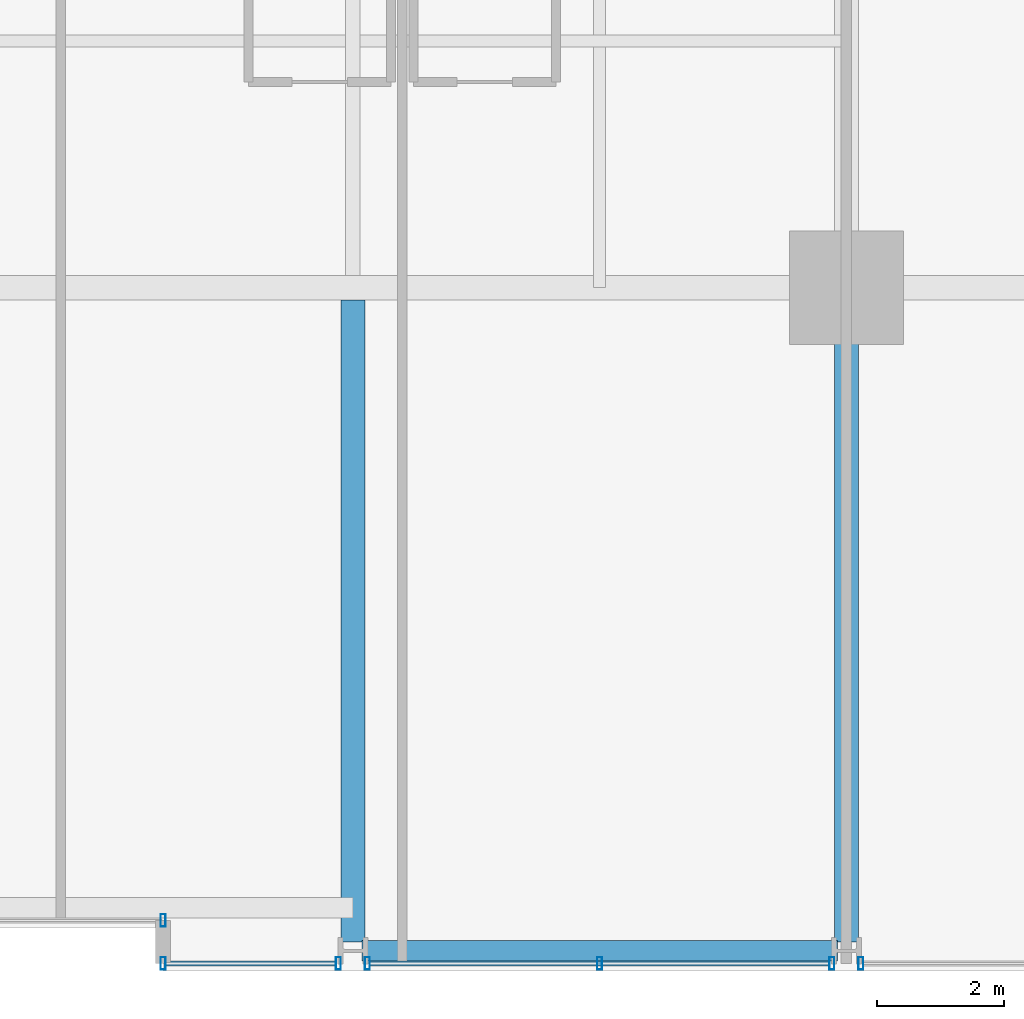
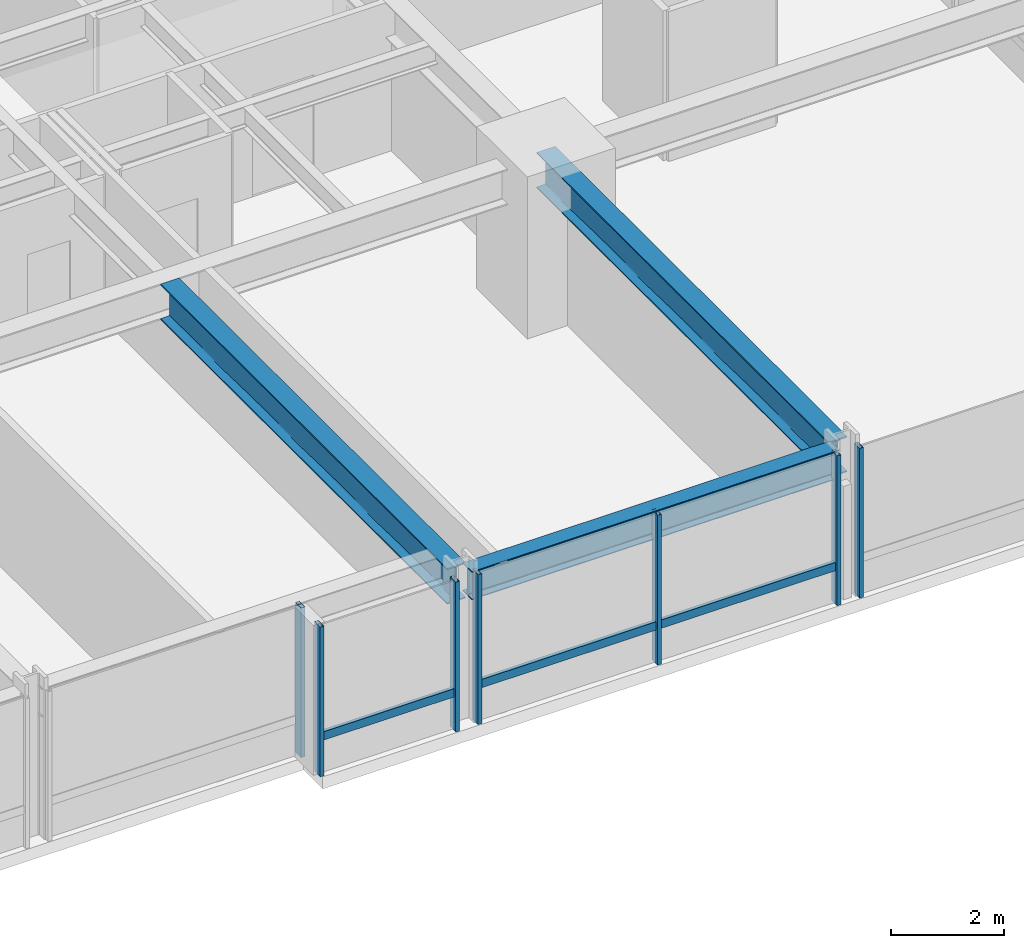
# One storey, part 11 of 38: 9 members, 3 beams, 4 elements without a shape of their own.
"""IFC4 building model written with IfcOpenShell, lengths in metres."""

from ifc_helpers import new_model, si_unit, direction, frame, origin, origin_2d, place, context, subcontext, project, spatial, hollow_rectangle, i_section, extrude, material, layer, layer_set, material_profile, profile_set, type_object, element, aggregate, save


model = new_model("IFC4")

# Units and contexts
model_context = context("Model", 3, precision=1e-05, world=origin(), true_north=direction((0.0, 1.0)))
body_context = subcontext(model_context, "Body", "Model", "MODEL_VIEW")
ifc_project = project(units=[si_unit("LENGTHUNIT", "METRE"), si_unit("AREAUNIT", "SQUARE_METRE"), si_unit("VOLUMEUNIT", "CUBIC_METRE"), si_unit("PLANEANGLEUNIT", "RADIAN"), si_unit("MASSUNIT", "GRAM", prefix="KILO")], contexts=[model_context])

# Site, building, storey
site_placement = place(None, origin())
site = spatial("IfcSite", under=ifc_project, at=site_placement, CompositionType="ELEMENT")
building_placement = place(site_placement, origin())
building = spatial("IfcBuilding", under=site, at=building_placement, Name="Drelvath Grand Hotel", CompositionType="ELEMENT")
storey_placement = place(building_placement, frame((0.0, 0.0, 61.199951171875)))
storey = spatial("IfcBuildingStorey", under=building, at=storey_placement, Name="L14", CompositionType="ELEMENT", Elevation=61.199951171875)

# Curtain wall, member
ifc_material_1 = material(Name="Warm Bronze Anodised Aluminium Frame", Category="aluminium")
ifc_layer = layer(ifc_material_1, 0.199951171875)
ifc_layer_set = layer_set([ifc_layer], Name="Warm Bronze Anodised Aluminium Frame")
curtain_wall_type = type_object("IfcCurtainWallType", Name="Stick Curtain Wall CW-02 Warm Bronze Low-Rise", PredefinedType="NOTDEFINED", material=ifc_layer_set)
curtain_wall_1_placement = place(storey_placement, origin())
curtain_wall_1 = element("IfcCurtainWall", 1, at=curtain_wall_1_placement, inside=storey, type_object=curtain_wall_type, Name="L14 CW-02 Curtain Wall CW02-L14-SE1", PredefinedType="NOTDEFINED")
ifc_material_profile_1 = material_profile(ifc_material_1, hollow_rectangle(XDim=0.074951171875, YDim=0.179931640625, WallThickness=0.0048828125, at=origin_2d()), Name="HSS180X75X5")
ifc_profile_set_1 = profile_set([ifc_material_profile_1], Name="Warm Bronze Anodised Aluminium Frame")
member_type_1 = type_object("IfcMemberType", Name="Curtain Wall Horizontal Transom CW-02 HSS180X75X5", PredefinedType="USERDEFINED", material=ifc_profile_set_1)
member_1_placement = place(storey_placement, frame((8.130859375, 0.1201171875, 0.81005859375), z_axis=(-1.0, 0.0, 0.0), x_axis=(0.0, -1.0, 0.0)))
member_1 = element("IfcMember", 2, at=member_1_placement, type_object=member_type_1, Name="CW02-L14-SE1 Sill Transom", ObjectType="TRANSOM", PredefinedType="USERDEFINED", context=body_context, shape_type="SweptSolid", body=[
    extrude(hollow_rectangle(XDim=0.074951171875, YDim=0.179931640625, WallThickness=0.0048828125, at=origin_2d()), origin(), (0.0, 0.0, 1.0), 2.69091796875),
])

curtain_wall_2_placement = place(storey_placement, origin())
curtain_wall_2 = element("IfcCurtainWall", 3, at=curtain_wall_2_placement, inside=storey, type_object=curtain_wall_type, Name="L14 CW-02 Curtain Wall CW02-L14-SE2", PredefinedType="NOTDEFINED")
member_2_placement = place(storey_placement, frame((15.930908203125, 0.1201171875, 0.81005859375), z_axis=(-1.0, 0.0, 0.0), x_axis=(0.0, -1.0, 0.0)))
member_2 = element("IfcMember", 4, at=member_2_placement, type_object=member_type_1, Name="CW02-L14-SE2 Sill Transom", ObjectType="TRANSOM", PredefinedType="USERDEFINED", context=body_context, shape_type="SweptSolid", body=[
    extrude(hollow_rectangle(XDim=0.074951171875, YDim=0.179931640625, WallThickness=0.0048828125, at=origin_2d()), origin(), (0.0, 0.0, 1.0), 7.26171875),
])

# Member
ifc_material_profile_2 = material_profile(ifc_material_1, hollow_rectangle(XDim=0.080078125, YDim=0.199951171875, WallThickness=0.0048828125, at=origin_2d()), Name="HSS200X80X5")
ifc_profile_set_2 = profile_set([ifc_material_profile_2], Name="Warm Bronze Anodised Aluminium Frame")
member_type_2 = type_object("IfcMemberType", Name="Curtain Wall Vertical Mullion CW-02 HSS200X80X5", PredefinedType="MULLION", material=ifc_profile_set_2)
member_3_placement = place(storey_placement, frame((8.1708984375, 0.1201171875, 0.0), z_axis=(0.0, 0.0, 1.0), x_axis=(1.0, 0.0, 0.0)))
member_3 = element("IfcMember", 5, at=member_3_placement, type_object=member_type_2, Name="CW02-L14-SE1 Mullion 1", PredefinedType="MULLION", context=body_context, shape_type="SweptSolid", body=[
    extrude(hollow_rectangle(XDim=0.080078125, YDim=0.199951171875, WallThickness=0.0048828125, at=origin_2d()), origin(), (0.0, 0.0, 1.0), 3.239990234375),
])

member_4_placement = place(storey_placement, frame((5.39990234375, 0.1201171875, 0.0), z_axis=(0.0, 0.0, 1.0), x_axis=(1.0, 0.0, 0.0)))
member_4 = element("IfcMember", 6, at=member_4_placement, type_object=member_type_2, Name="CW02-L14-SE1 Mullion 2", PredefinedType="MULLION", context=body_context, shape_type="SweptSolid", body=[
    extrude(hollow_rectangle(XDim=0.080078125, YDim=0.199951171875, WallThickness=0.0048828125, at=origin_2d()), origin(), (0.0, 0.0, 1.0), 3.239990234375),
])

aggregate(curtain_wall_1, [member_3, member_4, member_1])

member_5_placement = place(storey_placement, frame((15.970947265625, 0.1201171875, 0.0), z_axis=(0.0, 0.0, 1.0), x_axis=(1.0, 0.0, 0.0)))
member_5 = element("IfcMember", 7, at=member_5_placement, type_object=member_type_2, Name="CW02-L14-SE2 Mullion 1", PredefinedType="MULLION", context=body_context, shape_type="SweptSolid", body=[
    extrude(hollow_rectangle(XDim=0.080078125, YDim=0.199951171875, WallThickness=0.0048828125, at=origin_2d()), origin(), (0.0, 0.0, 1.0), 3.239990234375),
])

member_6_placement = place(storey_placement, frame((12.300048828125, 0.1201171875, 0.0), z_axis=(0.0, 0.0, 1.0), x_axis=(1.0, 0.0, 0.0)))
member_6 = element("IfcMember", 8, at=member_6_placement, type_object=member_type_2, Name="CW02-L14-SE2 Mullion 2", PredefinedType="MULLION", context=body_context, shape_type="SweptSolid", body=[
    extrude(hollow_rectangle(XDim=0.080078125, YDim=0.199951171875, WallThickness=0.0048828125, at=origin_2d()), origin(), (0.0, 0.0, 1.0), 3.239990234375),
])

member_7_placement = place(storey_placement, frame((8.629150390625, 0.1201171875, 0.0), z_axis=(0.0, 0.0, 1.0), x_axis=(1.0, 0.0, 0.0)))
member_7 = element("IfcMember", 9, at=member_7_placement, type_object=member_type_2, Name="CW02-L14-SE2 Mullion 3", PredefinedType="MULLION", context=body_context, shape_type="SweptSolid", body=[
    extrude(hollow_rectangle(XDim=0.080078125, YDim=0.199951171875, WallThickness=0.0048828125, at=origin_2d()), origin(), (0.0, 0.0, 1.0), 3.239990234375),
])

aggregate(curtain_wall_2, [member_5, member_6, member_7, member_2])

# Curtain wall, member
curtain_wall_3_placement = place(storey_placement, origin())
curtain_wall_3 = element("IfcCurtainWall", 10, at=curtain_wall_3_placement, inside=storey, type_object=curtain_wall_type, Name="L14 CW-02 Curtain Wall CW02-L14-SE3", PredefinedType="NOTDEFINED")
member_8_placement = place(storey_placement, frame((16.42919921875, 0.1201171875, 0.0), z_axis=(0.0, 0.0, 1.0), x_axis=(1.0, 0.0, 0.0)))
member_8 = element("IfcMember", 11, at=member_8_placement, type_object=member_type_2, Name="CW02-L14-SE3 Mullion 3", PredefinedType="MULLION", context=body_context, shape_type="SweptSolid", body=[
    extrude(hollow_rectangle(XDim=0.080078125, YDim=0.199951171875, WallThickness=0.0048828125, at=origin_2d()), origin(), (0.0, 0.0, 1.0), 3.239990234375),
])
aggregate(curtain_wall_3, [member_8])

curtain_wall_4_placement = place(storey_placement, origin())
curtain_wall_4 = element("IfcCurtainWall", 12, at=curtain_wall_4_placement, inside=storey, type_object=curtain_wall_type, Name="L14 CW-02 Curtain Wall CW02-L14-SM2", PredefinedType="NOTDEFINED")
member_9_placement = place(storey_placement, frame((5.39990234375, 0.800048828125, 0.0), z_axis=(0.0, 0.0, 1.0), x_axis=(1.0, 0.0, 0.0)))
member_9 = element("IfcMember", 13, at=member_9_placement, type_object=member_type_2, Name="CW02-L14-SM2 Mullion 1", PredefinedType="MULLION", context=body_context, shape_type="SweptSolid", body=[
    extrude(hollow_rectangle(XDim=0.080078125, YDim=0.199951171875, WallThickness=0.0048828125, at=origin_2d()), origin(), (0.0, 0.0, 1.0), 3.239990234375),
])
aggregate(curtain_wall_4, [member_9])

# Beams
ifc_material_2 = material(Name="Steel ASTM A992 Gr 50", Category="steel")
ifc_material_profile_3 = material_profile(ifc_material_2, i_section(OverallWidth=0.323974609375, OverallDepth=0.611083984375, WebThickness=0.0126953125, FlangeThickness=0.01904296875, FilletRadius=0.02197265625, at=origin_2d()), Name="W24X104")
ifc_profile_set_3 = profile_set([ifc_material_profile_3], Name="Steel ASTM A992 Gr 50")
beam_type_1 = type_object("IfcBeamType", Name="Perimeter Spandrel Beam W24X104", PredefinedType="SPANDREL", material=ifc_profile_set_3)
beam_1_placement = place(storey_placement, frame((8.5400390625, 0.320068359375, 2.9345703125), z_axis=(1.0, 0.0, 0.0), x_axis=(0.0, 1.0, 0.0)))
element("IfcBeam", 14, at=beam_1_placement, inside=storey, type_object=beam_type_1, Name="L14 Spandrel South E", PredefinedType="SPANDREL", context=body_context, shape_type="SweptSolid", body=[
    extrude(i_section(OverallWidth=0.323974609375, OverallDepth=0.611083984375, WebThickness=0.0126953125, FlangeThickness=0.01904296875, FilletRadius=0.02197265625, at=origin_2d()), origin(), (0.0, 0.0, 1.0), 7.52001953125),
])
ifc_material_profile_4 = material_profile(ifc_material_2, i_section(OverallWidth=0.380615234375, OverallDepth=0.773193359375, WebThickness=0.0166015625, FlangeThickness=0.027099609375, FilletRadius=0.02490234375, at=origin_2d()), Name="W30X173")
ifc_profile_set_4 = profile_set([ifc_material_profile_4], Name="Steel ASTM A992 Gr 50")
beam_type_2 = type_object("IfcBeamType", Name="Primary Floor Girder W30X173", PredefinedType="BEAM", material=ifc_profile_set_4)
beam_2_placement = place(storey_placement, frame((16.199951171875, 0.4599609375, 2.853515625), z_axis=(0.0, 1.0, 0.0), x_axis=(-1.0, 0.0, 0.0)))
element("IfcBeam", 15, at=beam_2_placement, inside=storey, type_object=beam_type_2, Name="L14 South Grid Girder 7", PredefinedType="BEAM", context=body_context, shape_type="SweptSolid", body=[
    extrude(i_section(OverallWidth=0.380615234375, OverallDepth=0.773193359375, WebThickness=0.0166015625, FlangeThickness=0.027099609375, FilletRadius=0.02490234375, at=origin_2d()), origin(), (0.0, 0.0, 1.0), 10.340087890625),
])
beam_3_placement = place(storey_placement, frame((8.39990234375, 0.4599609375, 2.853515625), z_axis=(0.0, 1.0, 0.0), x_axis=(-1.0, 0.0, 0.0)))
element("IfcBeam", 16, at=beam_3_placement, inside=storey, type_object=beam_type_2, Name="L14 South Wing Girder 6", PredefinedType="BEAM", context=body_context, shape_type="SweptSolid", body=[
    extrude(i_section(OverallWidth=0.380615234375, OverallDepth=0.773193359375, WebThickness=0.0166015625, FlangeThickness=0.027099609375, FilletRadius=0.02490234375, at=origin_2d()), origin(), (0.0, 0.0, 1.0), 10.149658203125),
])

save(model, "model.ifc")
